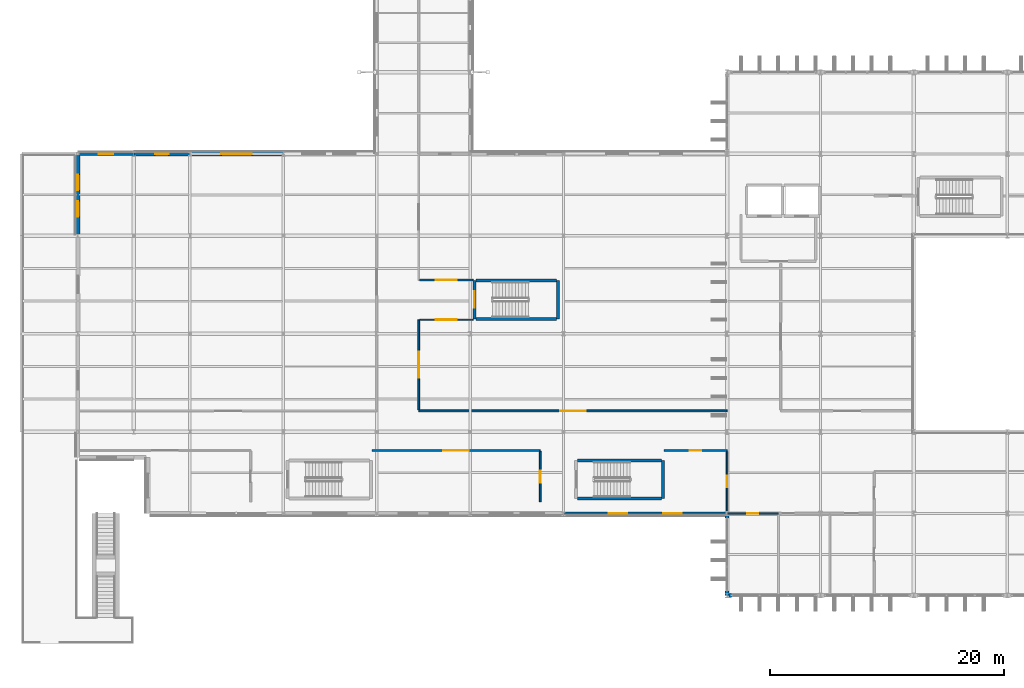
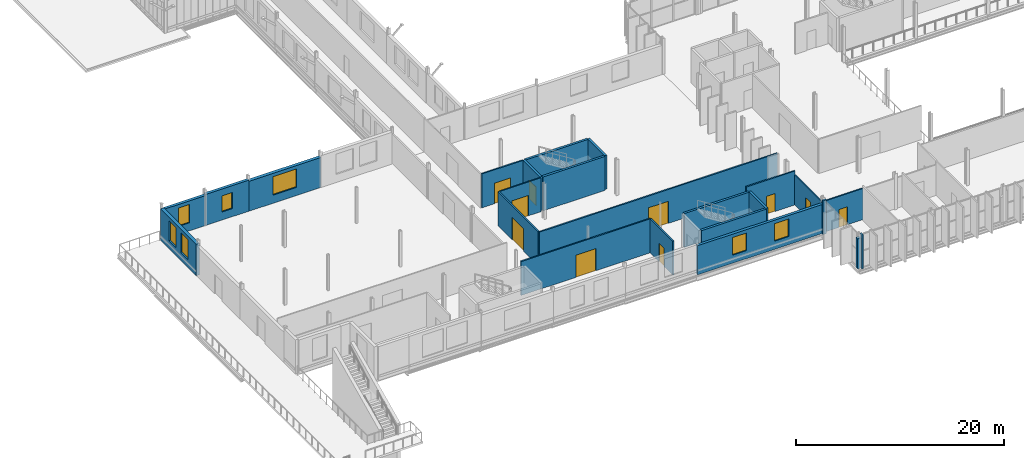
# One storey, part 79 of 101: 24 walls, 10 doors, 7 windows, 17 openings.
"""IFC4 building model written with IfcOpenShell, lengths in metres."""

from ifc_helpers import new_model, si_unit, direction, frame, frame_2d, origin, place, context, subcontext, project, spatial, rectangle, extrude, material, layer, layer_set, type_object, element, fill, save


model = new_model("IFC4")

# Units and contexts
model_context = context("Model", 3, precision=1e-05, world=origin(), true_north=direction((0.0, 1.0)))
body_context = subcontext(model_context, "Body", "Model", "MODEL_VIEW")
ifc_project = project(units=[si_unit("LENGTHUNIT", "METRE"), si_unit("AREAUNIT", "SQUARE_METRE"), si_unit("VOLUMEUNIT", "CUBIC_METRE"), si_unit("PLANEANGLEUNIT", "RADIAN"), si_unit("MASSUNIT", "GRAM", prefix="KILO")], contexts=[model_context])

# Site, building, storey
site_placement = place(None, origin())
site = spatial("IfcSite", under=ifc_project, at=site_placement, CompositionType="ELEMENT")
building_placement = place(site_placement, origin())
building = spatial("IfcBuilding", under=site, at=building_placement, Name="Vekula Escarpment Museum", CompositionType="ELEMENT")
storey_placement = place(building_placement, frame((0.0, 0.0, 18.0)))
storey = spatial("IfcBuildingStorey", under=building, at=storey_placement, Name="L04", CompositionType="ELEMENT", Elevation=18.0)

# Wall, openings, windows
ifc_material_1 = material(Name="Inkisi arkosic sandstone masonry", Category="masonry")
ifc_layer_1 = layer(ifc_material_1, 0.300048828125)
ifc_layer_set_1 = layer_set([ifc_layer_1], Name="Inkisi arkosic sandstone masonry")
wall_type_1 = type_object("IfcWallType", Name="WL-ALM-300", PredefinedType="SOLIDWALL", material=ifc_layer_set_1)
wall_1_placement = place(storey_placement, frame((70.0, 52.60009765625, 0.0), z_axis=(0.0, 0.0, 1.0), x_axis=(-1.0, 0.0, 0.0)))
wall_1 = element("IfcWall", 1, at=wall_1_placement, inside=storey, type_object=wall_type_1, Name="Exterior Wall WL-EXT-L04-0691", PredefinedType="SOLIDWALL", context=body_context, shape_type="SweptSolid", body=[
    extrude(rectangle(XDim=14.0, YDim=0.300048828125, at=frame_2d((7.0, 0.0))), origin(), (0.0, 0.0, 1.0), 3.4150390625),
])
opening_1_placement = place(wall_1_placement, frame((3.86669921875, 0.0, 0.949951171875)))
opening_1 = element("IfcOpeningElement", 2, at=opening_1_placement, cuts=wall_1, Name="Opening WN-12", PredefinedType="OPENING", context=body_context, shape_type="SweptSolid", body=[
    extrude(rectangle(XDim=1.60009765625, YDim=2.06005859375, at=frame_2d((0.800048828125, 1.030029296875))), frame((0.0, 0.159912109375, 0.0), z_axis=(0.0, -1.0, 0.0), x_axis=(1.0, 0.0, 0.0)), (0.0, 0.0, 1.0), 0.320068359375),
])
opening_2_placement = place(wall_1_placement, frame((8.533203125, 0.0, 0.949951171875)))
opening_2 = element("IfcOpeningElement", 3, at=opening_2_placement, cuts=wall_1, Name="Opening WN-12", PredefinedType="OPENING", context=body_context, shape_type="SweptSolid", body=[
    extrude(rectangle(XDim=1.60009765625, YDim=2.06005859375, at=frame_2d((0.800048828125, 1.030029296875))), frame((0.0, 0.159912109375, 0.0), z_axis=(0.0, -1.0, 0.0), x_axis=(1.0, 0.0, 0.0)), (0.0, 0.0, 1.0), 0.320068359375),
])
ifc_material_2 = material(Name="Double solar-control low-E glass", Category="glass")
window_type_1 = type_object("IfcWindowType", Name="WN-COURTYARD-16x26", PartitioningType="DOUBLE_PANEL_VERTICAL", PredefinedType="WINDOW", material=ifc_material_2)
window_1_placement = place(opening_1_placement, origin())
window_1 = element("IfcWindow", 4, at=window_1_placement, inside=storey, type_object=window_type_1, Name="Window L04-0365", OverallHeight=2.06005859375, OverallWidth=1.60009765625, PartitioningType="SINGLE_PANEL", PredefinedType="WINDOW", context=body_context, shape_type="SweptSolid", body=[
    extrude(rectangle(XDim=1.60009765625, YDim=2.06005859375, at=frame_2d((0.800048828125, 1.030029296875))), frame((0.0, 0.030029296875, 0.0), z_axis=(0.0, -1.0, 0.0), x_axis=(1.0, 0.0, 0.0)), (0.0, 0.0, 1.0), 0.06005859375),
])
fill(opening_1, window_1)
window_2_placement = place(opening_2_placement, origin())
window_2 = element("IfcWindow", 5, at=window_2_placement, inside=storey, type_object=window_type_1, Name="Window L04-0366", OverallHeight=2.06005859375, OverallWidth=1.60009765625, PartitioningType="SINGLE_PANEL", PredefinedType="WINDOW", context=body_context, shape_type="SweptSolid", body=[
    extrude(rectangle(XDim=1.60009765625, YDim=2.06005859375, at=frame_2d((0.800048828125, 1.030029296875))), frame((0.0, 0.030029296875, 0.0), z_axis=(0.0, -1.0, 0.0), x_axis=(1.0, 0.0, 0.0)), (0.0, 0.0, 1.0), 0.06005859375),
])
fill(opening_2, window_2)

# Wall, opening, window
wall_2_placement = place(storey_placement, frame((14.39990234375, 83.39990234375, 0.0), z_axis=(0.0, 0.0, 1.0), x_axis=(1.0, 0.0, 0.0)))
wall_2 = element("IfcWall", 6, at=wall_2_placement, inside=storey, type_object=wall_type_1, Name="Exterior Wall WL-EXT-L04-0803", PredefinedType="SOLIDWALL", context=body_context, shape_type="SweptSolid", body=[
    extrude(rectangle(XDim=4.800048828125, YDim=0.300048828125, at=frame_2d((2.39990234375, 0.0))), origin(), (0.0, 0.0, 1.0), 3.514892578125),
])
opening_3_placement = place(wall_2_placement, frame((1.77490234375, 0.0, 0.949951171875)))
opening_3 = element("IfcOpeningElement", 7, at=opening_3_placement, cuts=wall_2, Name="Opening WN-30", PredefinedType="OPENING", context=body_context, shape_type="SweptSolid", body=[
    extrude(rectangle(XDim=1.25, YDim=2.14990234375, at=frame_2d((0.625, 1.074951171875))), frame((0.0, 0.159912109375, 0.0), z_axis=(0.0, -1.0, 0.0), x_axis=(1.0, 0.0, 0.0)), (0.0, 0.0, 1.0), 0.320068359375),
])
ifc_material_3 = material(Name="Double solar-control low-E glass", Category="glass")
window_type_2 = type_object("IfcWindowType", Name="WN-GAL-12x21", PartitioningType="SINGLE_PANEL", PredefinedType="WINDOW", material=ifc_material_3)
window_3_placement = place(opening_3_placement, origin())
window_3 = element("IfcWindow", 8, at=window_3_placement, inside=storey, type_object=window_type_2, Name="Window L04-0442", OverallHeight=2.14990234375, OverallWidth=1.25, PartitioningType="SINGLE_PANEL", PredefinedType="WINDOW", context=body_context, shape_type="SweptSolid", body=[
    extrude(rectangle(XDim=1.25, YDim=2.14990234375, at=frame_2d((0.625, 1.074951171875))), frame((0.0, 0.030029296875, 0.0), z_axis=(0.0, -1.0, 0.0), x_axis=(1.0, 0.0, 0.0)), (0.0, 0.0, 1.0), 0.06005859375),
])
fill(opening_3, window_3)

ifc_material_4 = material(Name="Inkisi arkosic sandstone masonry", Category="masonry")
ifc_layer_2 = layer(ifc_material_4, 0.320068359375)
ifc_layer_set_2 = layer_set([ifc_layer_2], Name="Inkisi arkosic sandstone masonry")
wall_type_2 = type_object("IfcWallType", Name="WL-ALM-320", PredefinedType="SOLIDWALL", material=ifc_layer_set_2)
wall_3_placement = place(storey_placement, frame((19.199951171875, 83.39990234375, 0.0), z_axis=(0.0, 0.0, 1.0), x_axis=(1.0, 0.0, 0.0)))
wall_3 = element("IfcWall", 9, at=wall_3_placement, inside=storey, type_object=wall_type_2, Name="Exterior Wall WL-EXT-L04-0802", PredefinedType="SOLIDWALL", context=body_context, shape_type="SweptSolid", body=[
    extrude(rectangle(XDim=4.800048828125, YDim=0.320068359375, at=frame_2d((2.39990234375, 0.0))), origin(), (0.0, 0.0, 1.0), 3.64501953125),
])
opening_4_placement = place(wall_3_placement, frame((1.824951171875, 0.0, 0.949951171875)))
opening_4 = element("IfcOpeningElement", 10, at=opening_4_placement, cuts=wall_3, Name="Opening WN-29", PredefinedType="OPENING", context=body_context, shape_type="SweptSolid", body=[
    extrude(rectangle(XDim=1.14990234375, YDim=1.89990234375, at=frame_2d((0.574951171875, 0.949951171875))), frame((0.0, 0.169921875, 0.0), z_axis=(0.0, -1.0, 0.0), x_axis=(1.0, 0.0, 0.0)), (0.0, 0.0, 1.0), 0.340087890625),
])
ifc_material_5 = material(Name="Double solar-control low-E glass", Category="glass")
window_type_3 = type_object("IfcWindowType", Name="WN-GAL-11x19", PartitioningType="SINGLE_PANEL", PredefinedType="WINDOW", material=ifc_material_5)
window_4_placement = place(opening_4_placement, origin())
window_4 = element("IfcWindow", 11, at=window_4_placement, inside=storey, type_object=window_type_3, Name="Window L04-0441", OverallHeight=1.89990234375, OverallWidth=1.14990234375, PartitioningType="SINGLE_PANEL", PredefinedType="WINDOW", context=body_context, shape_type="SweptSolid", body=[
    extrude(rectangle(XDim=1.14990234375, YDim=1.89990234375, at=frame_2d((0.574951171875, 0.949951171875))), frame((0.0, 0.030029296875, 0.0), z_axis=(0.0, -1.0, 0.0), x_axis=(1.0, 0.0, 0.0)), (0.0, 0.0, 1.0), 0.06005859375),
])
fill(opening_4, window_4)

# Walls
ifc_material_6 = material(Name="Inkisi arkosic sandstone masonry", Category="masonry")
ifc_layer_3 = layer(ifc_material_6, 0.35009765625)
ifc_layer_set_3 = layer_set([ifc_layer_3], Name="Inkisi arkosic sandstone masonry")
wall_type_3 = type_object("IfcWallType", Name="WL-ALM-350", PredefinedType="SOLIDWALL", material=ifc_layer_set_3)
wall_4_placement = place(storey_placement, frame((70.0, 52.446044921875, 0.0), z_axis=(0.0, 0.0, 1.0), x_axis=(0.0, -1.0, 0.0)))
element("IfcWall", 12, at=wall_4_placement, inside=storey, type_object=wall_type_3, Name="Facade Jamb Pier L04-0692A", PredefinedType="SOLIDWALL", context=body_context, shape_type="SweptSolid", body=[
    extrude(rectangle(XDim=0.2060546875, YDim=0.35009765625, at=frame_2d((0.10302734375, 0.0))), origin(), (0.0, 0.0, 1.0), 3.97998046875),
])
wall_5_placement = place(storey_placement, frame((70.0, 45.9599609375, 0.0), z_axis=(0.0, 0.0, 1.0), x_axis=(0.0, -1.0, 0.0)))
element("IfcWall", 13, at=wall_5_placement, inside=storey, type_object=wall_type_3, Name="Facade Jamb Pier L04-0693B", PredefinedType="SOLIDWALL", context=body_context, shape_type="SweptSolid", body=[
    extrude(rectangle(XDim=0.35986328125, YDim=0.35009765625, at=frame_2d((0.179931640625, 0.0))), origin(), (0.0, 0.0, 1.0), 3.52490234375),
])
wall_6_placement = place(storey_placement, frame((70.178955078125, 45.60009765625, 0.0), z_axis=(0.0, 0.0, 1.0), x_axis=(1.0, 0.0, 0.0)))
element("IfcWall", 14, at=wall_6_placement, inside=storey, type_object=wall_type_3, Name="Facade Jamb Pier L04-0694A", PredefinedType="SOLIDWALL", context=body_context, shape_type="SweptSolid", body=[
    extrude(rectangle(XDim=0.18115234375, YDim=0.35009765625, at=frame_2d((0.090576171875, 0.0))), origin(), (0.0, 0.0, 1.0), 3.97998046875),
])

# Wall, opening, window
wall_7_placement = place(storey_placement, frame((24.0, 83.39990234375, 0.0), z_axis=(0.0, 0.0, 1.0), x_axis=(1.0, 0.0, 0.0)))
wall_7 = element("IfcWall", 15, at=wall_7_placement, inside=storey, type_object=wall_type_3, Name="Exterior Wall WL-EXT-L04-0801", PredefinedType="SOLIDWALL", context=body_context, shape_type="SweptSolid", body=[
    extrude(rectangle(XDim=8.0, YDim=0.35009765625, at=frame_2d((4.0, 0.0))), origin(), (0.0, 0.0, 1.0), 3.514892578125),
])
opening_5_placement = place(wall_7_placement, frame((2.699951171875, 0.0, 0.949951171875)))
opening_5 = element("IfcOpeningElement", 16, at=opening_5_placement, cuts=wall_7, Name="Opening WN-28", PredefinedType="OPENING", context=body_context, shape_type="SweptSolid", body=[
    extrude(rectangle(XDim=2.60009765625, YDim=2.169921875, at=frame_2d((1.300048828125, 1.0849609375))), frame((0.0, 0.18505859375, 0.0), z_axis=(0.0, -1.0, 0.0), x_axis=(1.0, 0.0, 0.0)), (0.0, 0.0, 1.0), 0.3701171875),
])
ifc_material_7 = material(Name="Double solar-control low-E glass", Category="glass")
window_type_4 = type_object("IfcWindowType", Name="WN-GAL-26x38", PartitioningType="TRIPLE_PANEL_VERTICAL", PredefinedType="WINDOW", material=ifc_material_7)
window_5_placement = place(opening_5_placement, origin())
window_5 = element("IfcWindow", 17, at=window_5_placement, inside=storey, type_object=window_type_4, Name="Window L04-0440", OverallHeight=2.169921875, OverallWidth=2.60009765625, PartitioningType="SINGLE_PANEL", PredefinedType="WINDOW", context=body_context, shape_type="SweptSolid", body=[
    extrude(rectangle(XDim=2.60009765625, YDim=2.169921875, at=frame_2d((1.300048828125, 1.0849609375))), frame((0.0, 0.030029296875, 0.0), z_axis=(0.0, -1.0, 0.0), x_axis=(1.0, 0.0, 0.0)), (0.0, 0.0, 1.0), 0.06005859375),
])
fill(opening_5, window_5)

# Wall, openings, windows
ifc_material_8 = material(Name="Inkisi arkosic sandstone masonry", Category="masonry")
ifc_layer_4 = layer(ifc_material_8, 0.3798828125)
ifc_layer_set_4 = layer_set([ifc_layer_4], Name="Inkisi arkosic sandstone masonry")
wall_type_4 = type_object("IfcWallType", Name="WL-ALM-380", PredefinedType="SOLIDWALL", material=ifc_layer_set_4)
wall_8_placement = place(storey_placement, frame((14.39990234375, 76.39990234375, 0.0), z_axis=(0.0, 0.0, 1.0), x_axis=(0.0, 1.0, 0.0)))
wall_8 = element("IfcWall", 18, at=wall_8_placement, inside=storey, type_object=wall_type_4, Name="Exterior Wall WL-EXT-L04-0804", PredefinedType="SOLIDWALL", context=body_context, shape_type="SweptSolid", body=[
    extrude(rectangle(XDim=6.84619140625, YDim=0.3798828125, at=frame_2d((3.423095703125, 0.0))), origin(), (0.0, 0.0, 1.0), 3.695068359375),
])
opening_6_placement = place(wall_8_placement, frame((1.60693359375, 0.0, 0.949951171875)))
opening_6 = element("IfcOpeningElement", 19, at=opening_6_placement, cuts=wall_8, Name="Opening WN-31", PredefinedType="OPENING", context=body_context, shape_type="SweptSolid", body=[
    extrude(rectangle(XDim=1.35009765625, YDim=2.35009765625, at=frame_2d((0.675048828125, 1.175048828125))), frame((0.0, 0.199951171875, 0.0), z_axis=(0.0, -1.0, 0.0), x_axis=(1.0, 0.0, 0.0)), (0.0, 0.0, 1.0), 0.39990234375),
])
opening_7_placement = place(wall_8_placement, frame((3.888916015625, 0.0, 0.949951171875)))
opening_7 = element("IfcOpeningElement", 20, at=opening_7_placement, cuts=wall_8, Name="Opening WN-31", PredefinedType="OPENING", context=body_context, shape_type="SweptSolid", body=[
    extrude(rectangle(XDim=1.35009765625, YDim=2.35009765625, at=frame_2d((0.675048828125, 1.175048828125))), frame((0.0, 0.199951171875, 0.0), z_axis=(0.0, -1.0, 0.0), x_axis=(1.0, 0.0, 0.0)), (0.0, 0.0, 1.0), 0.39990234375),
])
ifc_material_9 = material(Name="Double solar-control low-E glass", Category="glass")
window_type_5 = type_object("IfcWindowType", Name="WN-GAL-13x24", PartitioningType="SINGLE_PANEL", PredefinedType="WINDOW", material=ifc_material_9)
window_6_placement = place(opening_6_placement, origin())
window_6 = element("IfcWindow", 21, at=window_6_placement, inside=storey, type_object=window_type_5, Name="Window L04-0443", OverallHeight=2.35009765625, OverallWidth=1.35009765625, PartitioningType="SINGLE_PANEL", PredefinedType="WINDOW", context=body_context, shape_type="SweptSolid", body=[
    extrude(rectangle(XDim=1.35009765625, YDim=2.35009765625, at=frame_2d((0.675048828125, 1.175048828125))), frame((0.0, 0.030029296875, 0.0), z_axis=(0.0, -1.0, 0.0), x_axis=(1.0, 0.0, 0.0)), (0.0, 0.0, 1.0), 0.06005859375),
])
fill(opening_6, window_6)
window_7_placement = place(opening_7_placement, origin())
window_7 = element("IfcWindow", 22, at=window_7_placement, inside=storey, type_object=window_type_5, Name="Window L04-0444", OverallHeight=2.35009765625, OverallWidth=1.35009765625, PartitioningType="SINGLE_PANEL", PredefinedType="WINDOW", context=body_context, shape_type="SweptSolid", body=[
    extrude(rectangle(XDim=1.35009765625, YDim=2.35009765625, at=frame_2d((0.675048828125, 1.175048828125))), frame((0.0, 0.030029296875, 0.0), z_axis=(0.0, -1.0, 0.0), x_axis=(1.0, 0.0, 0.0)), (0.0, 0.0, 1.0), 0.06005859375),
])
fill(opening_7, window_7)

# Walls
ifc_material_10 = material(Name="Concrete C35/45", Category="concrete")
ifc_layer_5 = layer(ifc_material_10, 0.25)
ifc_layer_set_5 = layer_set([ifc_layer_5], Name="Concrete C35/45")
wall_type_5 = type_object("IfcWallType", Name="WL-CORE-250", PredefinedType="SHEAR", material=ifc_layer_set_5)
wall_9_placement = place(storey_placement, frame((64.52490234375, 53.875, 0.0), z_axis=(0.0, 0.0, 1.0), x_axis=(0.0, 1.0, 0.0)))
element("IfcWall", 23, at=wall_9_placement, inside=storey, type_object=wall_type_5, Name="Stair Core Wall ST-01 L04 E", PredefinedType="SHEAR", context=body_context, shape_type="SweptSolid", body=[
    extrude(rectangle(XDim=3.2900390625, YDim=0.25, at=frame_2d((1.64501953125, 0.0))), origin(), (0.0, 0.0, 1.0), 3.97998046875),
])
for number, where, z_axis, x_axis, name in (
    (24, (57.2041015625, 53.875, 0.0), (0.0, 0.0, 1.0), (1.0, 0.0, 0.0), "Stair Core Wall ST-01 L04 S"),
    (25, (57.2041015625, 57.1650390625, 0.0), (0.0, 0.0, 1.0), (1.0, 0.0, 0.0), "Stair Core Wall ST-01 L04 N"),
):
    element("IfcWall", number, at=place(storey_placement, frame(where, z_axis=z_axis, x_axis=x_axis)), inside=storey, type_object=wall_type_5, Name=name, PredefinedType="SHEAR", context=body_context, shape_type="SweptSolid", body=[
        extrude(rectangle(XDim=7.19189453125, YDim=0.25, at=frame_2d((3.595947265625, 0.0))), origin(), (0.0, 0.0, 1.0), 3.97998046875),
    ])

# Wall, opening, door
wall_10_placement = place(storey_placement, frame((48.375, 69.27490234375, 0.0), z_axis=(0.0, 0.0, 1.0), x_axis=(0.0, 1.0, 0.0)))
wall_10 = element("IfcWall", 26, at=wall_10_placement, inside=storey, type_object=wall_type_5, Name="Stair Core Wall ST-10 L04 W", PredefinedType="SHEAR", context=body_context, shape_type="SweptSolid", body=[
    extrude(rectangle(XDim=3.2900390625, YDim=0.25, at=frame_2d((1.64501953125, 0.0))), origin(), (0.0, 0.0, 1.0), 3.97998046875),
])
opening_8_placement = place(wall_10_placement, frame((0.945068359375, 0.0, 0.0)))
opening_8 = element("IfcOpeningElement", 27, at=opening_8_placement, cuts=wall_10, Name="Opening DR-FD60", PredefinedType="OPENING", context=body_context, shape_type="SweptSolid", body=[
    extrude(rectangle(XDim=1.39990234375, YDim=2.199951171875, at=frame_2d((0.699951171875, 1.10009765625))), frame((0.0, 0.135009765625, 0.0), z_axis=(0.0, -1.0, 0.0), x_axis=(1.0, 0.0, 0.0)), (0.0, 0.0, 1.0), 0.27001953125),
])
ifc_material_11 = material(Name="Fire-rated steel stair door", Category="steel")
door_type_1 = type_object("IfcDoorType", Name="DR-STAIR-1400x2200", OperationType="NOTDEFINED", PredefinedType="DOOR", material=ifc_material_11)
door_1_placement = place(opening_8_placement, origin())
door_1 = element("IfcDoor", 28, at=door_1_placement, inside=storey, type_object=door_type_1, Name="Protected Exit Stair Door ST-10 L04", OperationType="SINGLE_SWING_RIGHT", OverallHeight=2.199951171875, OverallWidth=1.39990234375, PredefinedType="DOOR", context=body_context, shape_type="SweptSolid", body=[
    extrude(rectangle(XDim=1.39990234375, YDim=2.199951171875, at=frame_2d((0.699951171875, 1.10009765625))), frame((0.0, 0.02490234375, 0.0), z_axis=(0.0, -1.0, 0.0), x_axis=(1.0, 0.0, 0.0)), (0.0, 0.0, 1.0), 0.050048828125),
])
fill(opening_8, door_1)

# Walls
wall_11_placement = place(storey_placement, frame((55.52490234375, 69.27490234375, 0.0), z_axis=(0.0, 0.0, 1.0), x_axis=(0.0, 1.0, 0.0)))
element("IfcWall", 29, at=wall_11_placement, inside=storey, type_object=wall_type_5, Name="Stair Core Wall ST-10 L04 E", PredefinedType="SHEAR", context=body_context, shape_type="SweptSolid", body=[
    extrude(rectangle(XDim=3.2900390625, YDim=0.25, at=frame_2d((1.64501953125, 0.0))), origin(), (0.0, 0.0, 1.0), 3.97998046875),
])
for number, where, z_axis, x_axis, name in (
    (30, (48.50390625, 69.27490234375, 0.0), (0.0, 0.0, 1.0), (1.0, 0.0, 0.0), "Stair Core Wall ST-10 L04 S"),
    (31, (48.50390625, 72.56494140625, 0.0), (0.0, 0.0, 1.0), (1.0, 0.0, 0.0), "Stair Core Wall ST-10 L04 N"),
):
    element("IfcWall", number, at=place(storey_placement, frame(where, z_axis=z_axis, x_axis=x_axis)), inside=storey, type_object=wall_type_5, Name=name, PredefinedType="SHEAR", context=body_context, shape_type="SweptSolid", body=[
        extrude(rectangle(XDim=6.89208984375, YDim=0.25, at=frame_2d((3.446044921875, 0.0))), origin(), (0.0, 0.0, 1.0), 3.97998046875),
    ])

# Wall, opening, door
ifc_material_12 = material(Name="Lightweight studio partition", Category="gypsum")
ifc_layer_6 = layer(ifc_material_12, 0.1201171875)
ifc_layer_set_6 = layer_set([ifc_layer_6], Name="Lightweight studio partition")
wall_type_6 = type_object("IfcWallType", Name="WL-PART-120", PredefinedType="PARTITIONING", material=ifc_layer_set_6)
wall_12_placement = place(storey_placement, frame((43.68408203125, 69.199951171875, 0.0), z_axis=(0.0, 0.0, 1.0), x_axis=(1.0, 0.0, 0.0)))
wall_12 = element("IfcWall", 32, at=wall_12_placement, inside=storey, type_object=wall_type_6, Name="Interior Partition WL-INT-L04-0018", PredefinedType="PARTITIONING", context=body_context, shape_type="SweptSolid", body=[
    extrude(rectangle(XDim=4.56591796875, YDim=0.1201171875, at=frame_2d((2.282958984375, 0.0))), origin(), (0.0, 0.0, 1.0), 3.97998046875),
])
opening_9_placement = place(wall_12_placement, frame((1.383056640625, 0.0, 0.0)))
opening_9 = element("IfcOpeningElement", 33, at=opening_9_placement, cuts=wall_12, Name="Opening DR-GL18", PredefinedType="OPENING", context=body_context, shape_type="SweptSolid", body=[
    extrude(rectangle(XDim=1.800048828125, YDim=2.39990234375, at=frame_2d((0.89990234375, 1.199951171875))), frame((0.0, 0.070068359375, 0.0), z_axis=(0.0, -1.0, 0.0), x_axis=(1.0, 0.0, 0.0)), (0.0, 0.0, 1.0), 0.14013671875),
])
ifc_material_13 = material(Name="Double glazed gallery portal door", Category="steel")
door_type_2 = type_object("IfcDoorType", Name="DR-GAL-1800x2400", OperationType="NOTDEFINED", PredefinedType="DOOR", material=ifc_material_13)
door_2_placement = place(opening_9_placement, origin())
door_2 = element("IfcDoor", 34, at=door_2_placement, inside=storey, type_object=door_type_2, Name="Interior Door L04-016", OperationType="SINGLE_SWING_RIGHT", OverallHeight=2.39990234375, OverallWidth=1.800048828125, PredefinedType="DOOR", context=body_context, shape_type="SweptSolid", body=[
    extrude(rectangle(XDim=1.800048828125, YDim=2.39990234375, at=frame_2d((0.89990234375, 1.199951171875))), frame((0.0, 0.02490234375, 0.0), z_axis=(0.0, -1.0, 0.0), x_axis=(1.0, 0.0, 0.0)), (0.0, 0.0, 1.0), 0.050048828125),
])
fill(opening_9, door_2)

wall_13_placement = place(storey_placement, frame((70.0, 52.75390625, 0.0), z_axis=(0.0, 0.0, 1.0), x_axis=(0.0, 1.0, 0.0)))
wall_13 = element("IfcWall", 35, at=wall_13_placement, inside=storey, type_object=wall_type_6, Name="Interior Partition WL-INT-L04-0021", PredefinedType="PARTITIONING", context=body_context, shape_type="SweptSolid", body=[
    extrude(rectangle(XDim=5.162109375, YDim=0.1201171875, at=frame_2d((2.5810546875, 0.0))), origin(), (0.0, 0.0, 1.0), 3.52490234375),
])
opening_10_placement = place(wall_13_placement, frame((2.0810546875, 0.0, 0.0)))
opening_10 = element("IfcOpeningElement", 36, at=opening_10_placement, cuts=wall_13, Name="Opening DR-OF10", PredefinedType="OPENING", context=body_context, shape_type="SweptSolid", body=[
    extrude(rectangle(XDim=1.0, YDim=2.14990234375, at=frame_2d((0.5, 1.074951171875))), frame((0.0, 0.070068359375, 0.0), z_axis=(0.0, -1.0, 0.0), x_axis=(1.0, 0.0, 0.0)), (0.0, 0.0, 1.0), 0.14013671875),
])
ifc_material_14 = material(Name="Solid core timber study door", Category="wood")
door_type_3 = type_object("IfcDoorType", Name="DR-OFF-1000x2150", OperationType="NOTDEFINED", PredefinedType="DOOR", material=ifc_material_14)
door_3_placement = place(opening_10_placement, origin())
door_3 = element("IfcDoor", 37, at=door_3_placement, inside=storey, type_object=door_type_3, Name="Interior Door L04-019", OperationType="SINGLE_SWING_LEFT", OverallHeight=2.14990234375, OverallWidth=1.0, PredefinedType="DOOR", context=body_context, shape_type="SweptSolid", body=[
    extrude(rectangle(XDim=1.0, YDim=2.14990234375, at=frame_2d((0.5, 1.074951171875))), frame((0.0, 0.02490234375, 0.0), z_axis=(0.0, -1.0, 0.0), x_axis=(1.0, 0.0, 0.0)), (0.0, 0.0, 1.0), 0.050048828125),
])
fill(opening_10, door_3)

ifc_material_15 = material(Name="Moisture-resistant wet-room partition", Category="gypsum")
ifc_layer_7 = layer(ifc_material_15, 0.139892578125)
ifc_layer_set_7 = layer_set([ifc_layer_7], Name="Moisture-resistant wet-room partition")
wall_type_7 = type_object("IfcWallType", Name="WL-PART-140", PredefinedType="PARTITIONING", material=ifc_layer_set_7)
wall_14_placement = place(storey_placement, frame((70.0, 52.60009765625, 0.0), z_axis=(0.0, 0.0, 1.0), x_axis=(1.0, 0.0, 0.0)))
wall_14 = element("IfcWall", 38, at=wall_14_placement, inside=storey, type_object=wall_type_7, Name="Interior Partition WL-INT-L04-0037", PredefinedType="PARTITIONING", context=body_context, shape_type="SweptSolid", body=[
    extrude(rectangle(XDim=4.39990234375, YDim=0.139892578125, at=frame_2d((2.199951171875, 0.0))), origin(), (0.0, 0.0, 1.0), 3.64501953125),
])
opening_11_placement = place(wall_14_placement, frame((1.72509765625, 0.0, 0.0)))
opening_11 = element("IfcOpeningElement", 39, at=opening_11_placement, cuts=wall_14, Name="Opening DR-WC09", PredefinedType="OPENING", context=body_context, shape_type="SweptSolid", body=[
    extrude(rectangle(XDim=0.949951171875, YDim=2.10009765625, at=frame_2d((0.47509765625, 1.050048828125))), frame((0.0, 0.079833984375, 0.0), z_axis=(0.0, -1.0, 0.0), x_axis=(1.0, 0.0, 0.0)), (0.0, 0.0, 1.0), 0.159912109375),
])
ifc_material_16 = material(Name="Laminate washroom door", Category="wood")
door_type_4 = type_object("IfcDoorType", Name="DR-WC-0950x2100", OperationType="NOTDEFINED", PredefinedType="DOOR", material=ifc_material_16)
door_4_placement = place(opening_11_placement, origin())
door_4 = element("IfcDoor", 40, at=door_4_placement, inside=storey, type_object=door_type_4, Name="Interior Door L04-035", OperationType="SINGLE_SWING_LEFT", OverallHeight=2.10009765625, OverallWidth=0.949951171875, PredefinedType="DOOR", context=body_context, shape_type="SweptSolid", body=[
    extrude(rectangle(XDim=0.949951171875, YDim=2.10009765625, at=frame_2d((0.47509765625, 1.050048828125))), frame((0.0, 0.02490234375, 0.0), z_axis=(0.0, -1.0, 0.0), x_axis=(1.0, 0.0, 0.0)), (0.0, 0.0, 1.0), 0.050048828125),
])
fill(opening_11, door_4)

ifc_material_17 = material(Name="Gypsum board dry-lined partition", Category="gypsum")
ifc_layer_8 = layer(ifc_material_17, 0.14990234375)
ifc_layer_set_8 = layer_set([ifc_layer_8], Name="Gypsum board dry-lined partition")
wall_type_8 = type_object("IfcWallType", Name="WL-PART-150", PredefinedType="PARTITIONING", material=ifc_layer_set_8)
wall_15_placement = place(storey_placement, frame((39.60009765625, 58.0, 0.0), z_axis=(0.0, 0.0, 1.0), x_axis=(1.0, 0.0, 0.0)))
wall_15 = element("IfcWall", 41, at=wall_15_placement, inside=storey, type_object=wall_type_8, Name="Interior Partition WL-INT-L04-0011", PredefinedType="PARTITIONING", context=body_context, shape_type="SweptSolid", body=[
    extrude(rectangle(XDim=14.39990234375, YDim=0.14990234375, at=frame_2d((7.199951171875, 0.0))), origin(), (0.0, 0.0, 1.0), 3.97998046875),
])
opening_12_placement = place(wall_15_placement, frame((6.10009765625, 0.0, 0.0)))
opening_12 = element("IfcOpeningElement", 42, at=opening_12_placement, cuts=wall_15, Name="Opening DR-GL22", PredefinedType="OPENING", context=body_context, shape_type="SweptSolid", body=[
    extrude(rectangle(XDim=2.199951171875, YDim=2.60009765625, at=frame_2d((1.10009765625, 1.300048828125))), frame((0.0, 0.0849609375, 0.0), z_axis=(0.0, -1.0, 0.0), x_axis=(1.0, 0.0, 0.0)), (0.0, 0.0, 1.0), 0.169921875),
])
ifc_material_18 = material(Name="Double acoustic timber gallery door", Category="wood")
door_type_5 = type_object("IfcDoorType", Name="DR-GAL-2200x2600", OperationType="NOTDEFINED", PredefinedType="DOOR", material=ifc_material_18)
door_5_placement = place(opening_12_placement, origin())
door_5 = element("IfcDoor", 43, at=door_5_placement, inside=storey, type_object=door_type_5, Name="Interior Door L04-009", OperationType="SINGLE_SWING_LEFT", OverallHeight=2.60009765625, OverallWidth=2.199951171875, PredefinedType="DOOR", context=body_context, shape_type="SweptSolid", body=[
    extrude(rectangle(XDim=2.199951171875, YDim=2.60009765625, at=frame_2d((1.10009765625, 1.300048828125))), frame((0.0, 0.02490234375, 0.0), z_axis=(0.0, -1.0, 0.0), x_axis=(1.0, 0.0, 0.0)), (0.0, 0.0, 1.0), 0.050048828125),
])
fill(opening_12, door_5)

wall_16_placement = place(storey_placement, frame((43.6640625, 72.60009765625, 0.0), z_axis=(0.0, 0.0, 1.0), x_axis=(1.0, 0.0, 0.0)))
wall_16 = element("IfcWall", 44, at=wall_16_placement, inside=storey, type_object=wall_type_8, Name="Interior Partition WL-INT-L04-0017", PredefinedType="PARTITIONING", context=body_context, shape_type="SweptSolid", body=[
    extrude(rectangle(XDim=4.5859375, YDim=0.14990234375, at=frame_2d((2.29296875, 0.0))), origin(), (0.0, 0.0, 1.0), 3.97998046875),
])
opening_13_placement = place(wall_16_placement, frame((1.39306640625, 0.0, 0.0)))
opening_13 = element("IfcOpeningElement", 45, at=opening_13_placement, cuts=wall_16, Name="Opening DR-GL18", PredefinedType="OPENING", context=body_context, shape_type="SweptSolid", body=[
    extrude(rectangle(XDim=1.800048828125, YDim=2.39990234375, at=frame_2d((0.89990234375, 1.199951171875))), frame((0.0, 0.0849609375, 0.0), z_axis=(0.0, -1.0, 0.0), x_axis=(1.0, 0.0, 0.0)), (0.0, 0.0, 1.0), 0.169921875),
])
door_6_placement = place(opening_13_placement, origin())
door_6 = element("IfcDoor", 46, at=door_6_placement, inside=storey, type_object=door_type_2, Name="Interior Door L04-015", OperationType="SINGLE_SWING_LEFT", OverallHeight=2.39990234375, OverallWidth=1.800048828125, PredefinedType="DOOR", context=body_context, shape_type="SweptSolid", body=[
    extrude(rectangle(XDim=1.800048828125, YDim=2.39990234375, at=frame_2d((0.89990234375, 1.199951171875))), frame((0.0, 0.02490234375, 0.0), z_axis=(0.0, -1.0, 0.0), x_axis=(1.0, 0.0, 0.0)), (0.0, 0.0, 1.0), 0.050048828125),
])
fill(opening_13, door_6)

ifc_material_19 = material(Name="Gypsum board gallery partition", Category="gypsum")
ifc_layer_9 = layer(ifc_material_19, 0.159912109375)
ifc_layer_set_9 = layer_set([ifc_layer_9], Name="Gypsum board gallery partition")
wall_type_9 = type_object("IfcWallType", Name="WL-PART-160", PredefinedType="PARTITIONING", material=ifc_layer_set_9)
wall_17_placement = place(storey_placement, frame((43.60009765625, 61.39990234375, 0.0), z_axis=(0.0, 0.0, 1.0), x_axis=(1.0, 0.0, 0.0)))
wall_17 = element("IfcWall", 47, at=wall_17_placement, inside=storey, type_object=wall_type_9, Name="Interior Partition WL-INT-L04-0010", PredefinedType="PARTITIONING", context=body_context, shape_type="SweptSolid", body=[
    extrude(rectangle(XDim=26.39990234375, YDim=0.159912109375, at=frame_2d((13.199951171875, 0.0))), origin(), (0.0, 0.0, 1.0), 3.97998046875),
])
opening_14_placement = place(wall_17_placement, frame((12.10009765625, 0.0, 0.0)))
opening_14 = element("IfcOpeningElement", 48, at=opening_14_placement, cuts=wall_17, Name="Opening DR-GL22", PredefinedType="OPENING", context=body_context, shape_type="SweptSolid", body=[
    extrude(rectangle(XDim=2.199951171875, YDim=2.60009765625, at=frame_2d((1.10009765625, 1.300048828125))), frame((0.0, 0.08984375, 0.0), z_axis=(0.0, -1.0, 0.0), x_axis=(1.0, 0.0, 0.0)), (0.0, 0.0, 1.0), 0.179931640625),
])
door_7_placement = place(opening_14_placement, origin())
door_7 = element("IfcDoor", 49, at=door_7_placement, inside=storey, type_object=door_type_5, Name="Interior Door L04-008", OperationType="SINGLE_SWING_RIGHT", OverallHeight=2.60009765625, OverallWidth=2.199951171875, PredefinedType="DOOR", context=body_context, shape_type="SweptSolid", body=[
    extrude(rectangle(XDim=2.199951171875, YDim=2.60009765625, at=frame_2d((1.10009765625, 1.300048828125))), frame((0.0, 0.02490234375, 0.0), z_axis=(0.0, -1.0, 0.0), x_axis=(1.0, 0.0, 0.0)), (0.0, 0.0, 1.0), 0.050048828125),
])
fill(opening_14, door_7)

wall_18_placement = place(storey_placement, frame((64.60009765625, 58.0, 0.0), z_axis=(0.0, 0.0, 1.0), x_axis=(1.0, 0.0, 0.0)))
wall_18 = element("IfcWall", 50, at=wall_18_placement, inside=storey, type_object=wall_type_9, Name="Interior Partition WL-INT-L04-0013", PredefinedType="PARTITIONING", context=body_context, shape_type="SweptSolid", body=[
    extrude(rectangle(XDim=5.39990234375, YDim=0.159912109375, at=frame_2d((2.699951171875, 0.0))), origin(), (0.0, 0.0, 1.0), 3.97998046875),
])
opening_15_placement = place(wall_18_placement, frame((2.22509765625, 0.0, 0.0)))
opening_15 = element("IfcOpeningElement", 51, at=opening_15_placement, cuts=wall_18, Name="Opening DR-OF09", PredefinedType="OPENING", context=body_context, shape_type="SweptSolid", body=[
    extrude(rectangle(XDim=0.949951171875, YDim=2.10009765625, at=frame_2d((0.47509765625, 1.050048828125))), frame((0.0, 0.08984375, 0.0), z_axis=(0.0, -1.0, 0.0), x_axis=(1.0, 0.0, 0.0)), (0.0, 0.0, 1.0), 0.179931640625),
])
ifc_material_20 = material(Name="Solid core timber office door", Category="wood")
door_type_6 = type_object("IfcDoorType", Name="DR-OFF-0950x2100", OperationType="NOTDEFINED", PredefinedType="DOOR", material=ifc_material_20)
door_8_placement = place(opening_15_placement, origin())
door_8 = element("IfcDoor", 52, at=door_8_placement, inside=storey, type_object=door_type_6, Name="Interior Door L04-011", OperationType="SINGLE_SWING_LEFT", OverallHeight=2.10009765625, OverallWidth=0.949951171875, PredefinedType="DOOR", context=body_context, shape_type="SweptSolid", body=[
    extrude(rectangle(XDim=0.949951171875, YDim=2.10009765625, at=frame_2d((0.47509765625, 1.050048828125))), frame((0.0, 0.02490234375, 0.0), z_axis=(0.0, -1.0, 0.0), x_axis=(1.0, 0.0, 0.0)), (0.0, 0.0, 1.0), 0.050048828125),
])
fill(opening_15, door_8)

wall_19_placement = place(storey_placement, frame((43.60009765625, 61.48388671875, 0.0), z_axis=(0.0, 0.0, 1.0), x_axis=(0.0, 1.0, 0.0)))
wall_19 = element("IfcWall", 53, at=wall_19_placement, inside=storey, type_object=wall_type_9, Name="Interior Partition WL-INT-L04-0016", PredefinedType="PARTITIONING", context=body_context, shape_type="SweptSolid", body=[
    extrude(rectangle(XDim=7.716064453125, YDim=0.159912109375, at=frame_2d((3.85791015625, 0.0))), origin(), (0.0, 0.0, 1.0), 3.97998046875),
])
opening_16_placement = place(wall_19_placement, frame((2.758056640625, 0.0, 0.0)))
opening_16 = element("IfcOpeningElement", 54, at=opening_16_placement, cuts=wall_19, Name="Opening DR-GL22", PredefinedType="OPENING", context=body_context, shape_type="SweptSolid", body=[
    extrude(rectangle(XDim=2.199951171875, YDim=2.60009765625, at=frame_2d((1.10009765625, 1.300048828125))), frame((0.0, 0.08984375, 0.0), z_axis=(0.0, -1.0, 0.0), x_axis=(1.0, 0.0, 0.0)), (0.0, 0.0, 1.0), 0.179931640625),
])
door_9_placement = place(opening_16_placement, origin())
door_9 = element("IfcDoor", 55, at=door_9_placement, inside=storey, type_object=door_type_5, Name="Interior Door L04-014", OperationType="SINGLE_SWING_RIGHT", OverallHeight=2.60009765625, OverallWidth=2.199951171875, PredefinedType="DOOR", context=body_context, shape_type="SweptSolid", body=[
    extrude(rectangle(XDim=2.199951171875, YDim=2.60009765625, at=frame_2d((1.10009765625, 1.300048828125))), frame((0.0, 0.02490234375, 0.0), z_axis=(0.0, -1.0, 0.0), x_axis=(1.0, 0.0, 0.0)), (0.0, 0.0, 1.0), 0.050048828125),
])
fill(opening_16, door_9)

wall_20_placement = place(storey_placement, frame((54.0, 53.60009765625, 0.0), z_axis=(0.0, 0.0, 1.0), x_axis=(0.0, 1.0, 0.0)))
wall_20 = element("IfcWall", 56, at=wall_20_placement, inside=storey, type_object=wall_type_9, Name="Interior Partition WL-INT-L04-0019", PredefinedType="PARTITIONING", context=body_context, shape_type="SweptSolid", body=[
    extrude(rectangle(XDim=4.32080078125, YDim=0.159912109375, at=frame_2d((2.160400390625, 0.0))), origin(), (0.0, 0.0, 1.0), 3.97998046875),
])
opening_17_placement = place(wall_20_placement, frame((1.660400390625, 0.0, 0.0)))
opening_17 = element("IfcOpeningElement", 57, at=opening_17_placement, cuts=wall_20, Name="Opening DR-OF10", PredefinedType="OPENING", context=body_context, shape_type="SweptSolid", body=[
    extrude(rectangle(XDim=1.0, YDim=2.14990234375, at=frame_2d((0.5, 1.074951171875))), frame((0.0, 0.08984375, 0.0), z_axis=(0.0, -1.0, 0.0), x_axis=(1.0, 0.0, 0.0)), (0.0, 0.0, 1.0), 0.179931640625),
])
door_10_placement = place(opening_17_placement, origin())
door_10 = element("IfcDoor", 58, at=door_10_placement, inside=storey, type_object=door_type_3, Name="Interior Door L04-017", OperationType="SINGLE_SWING_LEFT", OverallHeight=2.14990234375, OverallWidth=1.0, PredefinedType="DOOR", context=body_context, shape_type="SweptSolid", body=[
    extrude(rectangle(XDim=1.0, YDim=2.14990234375, at=frame_2d((0.5, 1.074951171875))), frame((0.0, 0.02490234375, 0.0), z_axis=(0.0, -1.0, 0.0), x_axis=(1.0, 0.0, 0.0)), (0.0, 0.0, 1.0), 0.050048828125),
])
fill(opening_17, door_10)

save(model, "model.ifc")
